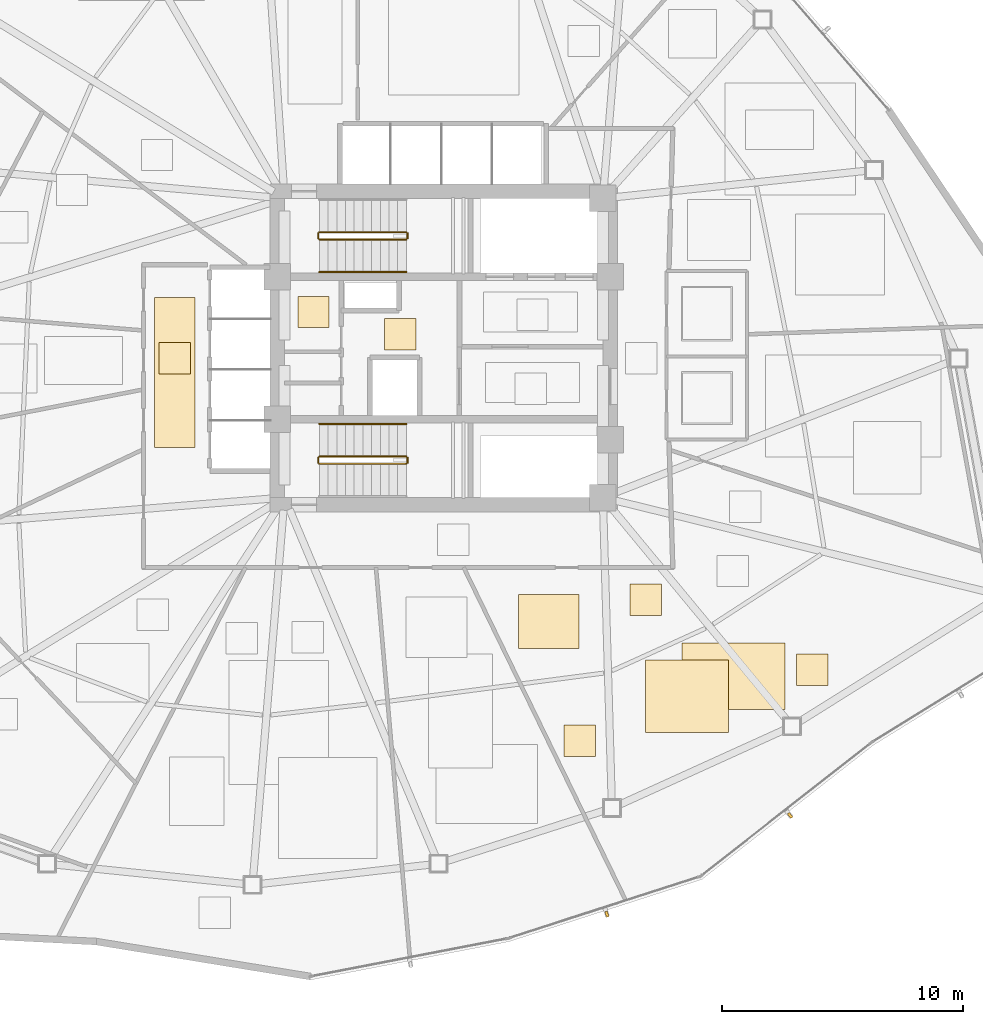
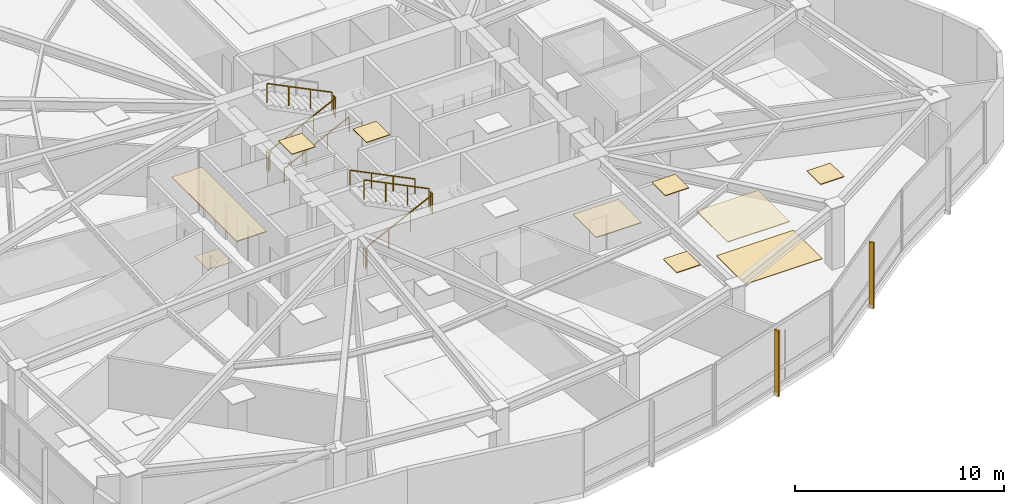
# One storey, part 15 of 17: 10 coverings, 10 railings, 2 shading devices.
"""IFC4 building model written with IfcOpenShell, lengths in metres."""

from ifc_helpers import new_model, si_unit, direction, frame, origin, origin_2d, place, context, subcontext, project, spatial, polyline, rectangle, outline, extrude, source, transform, mapped, material, layer, layer_set, type_object, type_shapes, element, save


model = new_model("IFC4")

# Units and contexts
model_context = context("Model", 3, precision=1e-05, world=origin(), true_north=direction((0.0, 1.0)))
body_context = subcontext(model_context, "Body", "Model", "MODEL_VIEW")
ifc_project = project(units=[si_unit("LENGTHUNIT", "METRE"), si_unit("AREAUNIT", "SQUARE_METRE"), si_unit("VOLUMEUNIT", "CUBIC_METRE"), si_unit("PLANEANGLEUNIT", "RADIAN"), si_unit("MASSUNIT", "GRAM", prefix="KILO")], contexts=[model_context])

# Site, building, storey
site_placement = place(None, origin())
site = spatial("IfcSite", under=ifc_project, at=site_placement, CompositionType="ELEMENT")
building_placement = place(site_placement, origin())
building = spatial("IfcBuilding", under=site, at=building_placement, Name="Tavelor Broadcast Tower", CompositionType="ELEMENT")
storey_placement = place(building_placement, frame((0.0, 0.0, 86.10009765625)))
storey = spatial("IfcBuildingStorey", under=building, at=storey_placement, Name="L20", CompositionType="ELEMENT", Elevation=86.10009765625)

# Railings
ifc_material_1 = material(Name="Steel S355", Category="steel")
railing_type_1 = type_object("IfcRailingType", Name="Continuous Brushed Stainless Handrail 900 mm", PredefinedType="HANDRAIL", material=ifc_material_1)
railing_1_placement = place(storey_placement, frame((44.85009765625, 48.14990234375, 0.17724609375)))
element("IfcRailing", 1, at=railing_1_placement, inside=storey, type_object=railing_type_1, Name="L20 ST1 stair handrail 1", PredefinedType="HANDRAIL", context=body_context, shape_type="SweptSolid", body=[
    extrude(rectangle(XDim=0.048095703125, YDim=0.048095703125, at=origin_2d()), frame((0.0, 0.0, 0.8759765625), z_axis=(0.897124305991, 0.0, 0.441778201817), x_axis=(0.0, 1.0, 0.0)), (0.0, 0.0, 1.0), 4.0126953125),
    extrude(rectangle(XDim=0.0419921875, YDim=0.0419921875, at=origin_2d()), origin(), (0.0, 0.0, 1.0), 0.851806640625),
    extrude(rectangle(XDim=0.0419921875, YDim=0.0419921875, at=origin_2d()), frame((1.199951171875, 0.0, 0.5908203125)), (0.0, 0.0, 1.0), 0.851806640625),
    extrude(rectangle(XDim=0.0419921875, YDim=0.0419921875, at=origin_2d()), frame((2.39990234375, 0.0, 1.181884765625)), (0.0, 0.0, 1.0), 0.851806640625),
    extrude(rectangle(XDim=0.0419921875, YDim=0.0419921875, at=origin_2d()), frame((3.599853515625, 0.0, 1.772705078125)), (0.0, 0.0, 1.0), 0.851806640625),
])
railing_2_placement = place(storey_placement, frame((48.449951171875, 41.85009765625, 2.127197265625)))
element("IfcRailing", 2, at=railing_2_placement, inside=storey, type_object=railing_type_1, Name="L20 ST2 stair handrail 2", PredefinedType="HANDRAIL", context=body_context, shape_type="SweptSolid", body=[
    extrude(rectangle(XDim=0.048095703125, YDim=0.048095703125, at=origin_2d()), frame((0.0, 0.0, 0.8759765625), z_axis=(-0.897124305991, 0.0, 0.441778201817), x_axis=(0.0, -1.0, 0.0)), (0.0, 0.0, 1.0), 4.0126953125),
    extrude(rectangle(XDim=0.0419921875, YDim=0.0419921875, at=origin_2d()), origin(), (0.0, 0.0, 1.0), 0.851806640625),
    extrude(rectangle(XDim=0.0419921875, YDim=0.0419921875, at=origin_2d()), frame((-1.199951171875, 0.0, 0.5908203125)), (0.0, 0.0, 1.0), 0.851806640625),
    extrude(rectangle(XDim=0.0419921875, YDim=0.0419921875, at=origin_2d()), frame((-2.39990234375, 0.0, 1.181884765625)), (0.0, 0.0, 1.0), 0.851806640625),
    extrude(rectangle(XDim=0.0419921875, YDim=0.0419921875, at=origin_2d()), frame((-3.599853515625, 0.0, 1.772705078125)), (0.0, 0.0, 1.0), 0.851806640625),
])

# Coverings
ifc_material_2 = material(Name="Architectural Anodized Aluminium", Category="aluminium")
ifc_layer_1 = layer(ifc_material_2, 0.034912109375)
ifc_layer_set_1 = layer_set([ifc_layer_1], Name="Architectural Anodized Aluminium")
covering_type_1 = type_object("IfcCoveringType", Name="Demountable Metal Tile Corridor Ceiling 35 mm", PredefinedType="CEILING", material=ifc_layer_set_1)
covering_1_placement = place(storey_placement, frame((0.0, 0.0, 3.56494140625)))
element("IfcCovering", 3, at=covering_1_placement, inside=storey, type_object=covering_type_1, Name="L20 Suspended Acoustic Ceiling 0833", PredefinedType="CEILING", context=body_context, shape_type="SweptSolid", body=[
    extrude(outline(polyline([(38.01611328125, 40.868896484375), (39.683837890625, 40.868896484375), (39.683837890625, 47.096923828125), (38.01611328125, 47.096923828125), (38.01611328125, 40.868896484375)])), origin(), (0.0, 0.0, 1.0), 0.034912109375),
])
ifc_material_3 = material(Name="Acoustic Nylon Carpet Tile")
ifc_layer_2 = layer(ifc_material_3, 0.02001953125)
ifc_layer_set_2 = layer_set([ifc_layer_2], Name="Acoustic Nylon Carpet Tile")
covering_type_2 = type_object("IfcCoveringType", Name="Heavy-Duty Acoustic Broadcast Carpet Tile 20 mm", PredefinedType="FLOORING", material=ifc_layer_set_2)
covering_2_placement = place(storey_placement, origin())
element("IfcCovering", 4, at=covering_2_placement, inside=storey, type_object=covering_type_2, Name="L20 Broadcast Floor Finish 0290", PredefinedType="FLOORING", context=body_context, shape_type="SweptSolid", body=[
    extrude(outline(polyline([(38.199951171875, 43.925048828125), (39.5, 43.925048828125), (39.5, 45.22509765625), (38.199951171875, 45.22509765625), (38.199951171875, 43.925048828125)])), origin(), (0.0, 0.0, 1.0), 0.02001953125),
])
covering_3_placement = place(storey_placement, origin())
element("IfcCovering", 5, at=covering_3_placement, inside=storey, type_object=covering_type_2, Name="L20 Broadcast Floor Finish 0293", PredefinedType="FLOORING", context=body_context, shape_type="SweptSolid", body=[
    extrude(outline(polyline([(59.8837890625, 30.01708984375), (64.155517578125, 30.01708984375), (64.155517578125, 32.76318359375), (59.8837890625, 32.76318359375), (59.8837890625, 30.01708984375)])), origin(), (0.0, 0.0, 1.0), 0.02001953125),
])
ifc_layer_3 = layer(ifc_material_2, 0.030029296875)
ifc_layer_set_3 = layer_set([ifc_layer_3], Name="Architectural Anodized Aluminium")
covering_type_3 = type_object("IfcCoveringType", Name="Moisture-Resistant Washroom Ceiling 30 mm", PredefinedType="CEILING", material=ifc_layer_set_3)
covering_4_placement = place(storey_placement, frame((0.0, 0.0, 3.56982421875)))
element("IfcCovering", 6, at=covering_4_placement, inside=storey, type_object=covering_type_3, Name="L20 Suspended Acoustic Ceiling 0830", PredefinedType="CEILING", context=body_context, shape_type="SweptSolid", body=[
    extrude(outline(polyline([(43.951416015625, 45.843017578125), (45.25146484375, 45.843017578125), (45.25146484375, 47.14306640625), (43.951416015625, 47.14306640625), (43.951416015625, 45.843017578125)])), origin(), (0.0, 0.0, 1.0), 0.030029296875),
])

# Railings
railing_type_2 = type_object("IfcRailingType", Name="Stairwell Steel Safety Guardrail 1150 mm", PredefinedType="GUARDRAIL", material=ifc_material_1)
railing_3_placement = place(storey_placement, frame((44.85009765625, 49.5, 0.17724609375)))
element("IfcRailing", 7, at=railing_3_placement, inside=storey, type_object=railing_type_2, Name="L20 ST1 stair guard 1", PredefinedType="GUARDRAIL", context=body_context, shape_type="SweptSolid", body=[
    extrude(rectangle(XDim=0.048095703125, YDim=0.048095703125, at=origin_2d()), frame((0.0, 0.0, 1.1259765625), z_axis=(0.897124305991, 0.0, 0.441778201817), x_axis=(0.0, 1.0, 0.0)), (0.0, 0.0, 1.0), 4.0126953125),
    extrude(rectangle(XDim=0.0419921875, YDim=0.0419921875, at=origin_2d()), origin(), (0.0, 0.0, 1.0), 1.101806640625),
    extrude(rectangle(XDim=0.0419921875, YDim=0.0419921875, at=origin_2d()), frame((1.199951171875, 0.0, 0.5908203125)), (0.0, 0.0, 1.0), 1.101806640625),
    extrude(rectangle(XDim=0.0419921875, YDim=0.0419921875, at=origin_2d()), frame((2.39990234375, 0.0, 1.181884765625)), (0.0, 0.0, 1.0), 1.101806640625),
    extrude(rectangle(XDim=0.0419921875, YDim=0.0419921875, at=origin_2d()), frame((3.599853515625, 0.0, 1.772705078125)), (0.0, 0.0, 1.0), 1.101806640625),
])
railing_4_placement = place(storey_placement, frame((48.5, 49.550048828125, 1.949951171875)))
element("IfcRailing", 8, at=railing_4_placement, inside=storey, type_object=railing_type_2, Name="L20 ST1 stair guard 2", PredefinedType="GUARDRAIL", context=body_context, shape_type="SweptSolid", body=[
    extrude(rectangle(XDim=0.048095703125, YDim=0.048095703125, at=origin_2d()), frame((0.0, 0.0, 1.1259765625), z_axis=(0.0, 1.0, 0.0), x_axis=(-1.0, 0.0, 0.0)), (0.0, 0.0, 1.0), 0.199951171875),
    extrude(rectangle(XDim=0.0419921875, YDim=0.0419921875, at=origin_2d()), origin(), (0.0, 0.0, 1.0), 1.101806640625),
    extrude(rectangle(XDim=0.0419921875, YDim=0.0419921875, at=origin_2d()), frame((0.0, 0.199951171875, 0.0)), (0.0, 0.0, 1.0), 1.101806640625),
])
railing_5_placement = place(storey_placement, frame((48.449951171875, 49.800048828125, 2.127197265625)))
element("IfcRailing", 9, at=railing_5_placement, inside=storey, type_object=railing_type_2, Name="L20 ST1 stair guard 3", PredefinedType="GUARDRAIL", context=body_context, shape_type="SweptSolid", body=[
    extrude(rectangle(XDim=0.048095703125, YDim=0.048095703125, at=origin_2d()), frame((0.0, 0.0, 1.1259765625), z_axis=(-0.897124305991, 0.0, 0.441778201817), x_axis=(0.0, -1.0, 0.0)), (0.0, 0.0, 1.0), 4.0126953125),
    extrude(rectangle(XDim=0.0419921875, YDim=0.0419921875, at=origin_2d()), origin(), (0.0, 0.0, 1.0), 1.101806640625),
    extrude(rectangle(XDim=0.0419921875, YDim=0.0419921875, at=origin_2d()), frame((-1.199951171875, 0.0, 0.5908203125)), (0.0, 0.0, 1.0), 1.101806640625),
    extrude(rectangle(XDim=0.0419921875, YDim=0.0419921875, at=origin_2d()), frame((-2.39990234375, 0.0, 1.181884765625)), (0.0, 0.0, 1.0), 1.101806640625),
    extrude(rectangle(XDim=0.0419921875, YDim=0.0419921875, at=origin_2d()), frame((-3.599853515625, 0.0, 1.772705078125)), (0.0, 0.0, 1.0), 1.101806640625),
])
railing_6_placement = place(storey_placement, frame((44.800048828125, 49.550048828125, 0.0)))
element("IfcRailing", 10, at=railing_6_placement, inside=storey, type_object=railing_type_2, Name="L20 ST1 stair guard 4", PredefinedType="GUARDRAIL", context=body_context, shape_type="SweptSolid", body=[
    extrude(rectangle(XDim=0.048095703125, YDim=0.048095703125, at=origin_2d()), frame((0.0, 0.0, 1.1259765625), z_axis=(0.0, 1.0, 0.0), x_axis=(-1.0, 0.0, 0.0)), (0.0, 0.0, 1.0), 0.199951171875),
    extrude(rectangle(XDim=0.0419921875, YDim=0.0419921875, at=origin_2d()), origin(), (0.0, 0.0, 1.0), 1.101806640625),
    extrude(rectangle(XDim=0.0419921875, YDim=0.0419921875, at=origin_2d()), frame((0.0, 0.199951171875, 0.0)), (0.0, 0.0, 1.0), 1.101806640625),
])
railing_7_placement = place(storey_placement, frame((44.85009765625, 40.199951171875, 0.17724609375)))
element("IfcRailing", 11, at=railing_7_placement, inside=storey, type_object=railing_type_2, Name="L20 ST2 stair guard 1", PredefinedType="GUARDRAIL", context=body_context, shape_type="SweptSolid", body=[
    extrude(rectangle(XDim=0.048095703125, YDim=0.048095703125, at=origin_2d()), frame((0.0, 0.0, 1.1259765625), z_axis=(0.897124305991, 0.0, 0.441778201817), x_axis=(0.0, 1.0, 0.0)), (0.0, 0.0, 1.0), 4.0126953125),
    extrude(rectangle(XDim=0.0419921875, YDim=0.0419921875, at=origin_2d()), origin(), (0.0, 0.0, 1.0), 1.101806640625),
    extrude(rectangle(XDim=0.0419921875, YDim=0.0419921875, at=origin_2d()), frame((1.199951171875, 0.0, 0.5908203125)), (0.0, 0.0, 1.0), 1.101806640625),
    extrude(rectangle(XDim=0.0419921875, YDim=0.0419921875, at=origin_2d()), frame((2.39990234375, 0.0, 1.181884765625)), (0.0, 0.0, 1.0), 1.101806640625),
    extrude(rectangle(XDim=0.0419921875, YDim=0.0419921875, at=origin_2d()), frame((3.599853515625, 0.0, 1.772705078125)), (0.0, 0.0, 1.0), 1.101806640625),
])
railing_8_placement = place(storey_placement, frame((48.5, 40.25, 1.949951171875)))
element("IfcRailing", 12, at=railing_8_placement, inside=storey, type_object=railing_type_2, Name="L20 ST2 stair guard 2", PredefinedType="GUARDRAIL", context=body_context, shape_type="SweptSolid", body=[
    extrude(rectangle(XDim=0.048095703125, YDim=0.048095703125, at=origin_2d()), frame((0.0, 0.0, 1.1259765625), z_axis=(0.0, 1.0, 0.0), x_axis=(-1.0, 0.0, 0.0)), (0.0, 0.0, 1.0), 0.199951171875),
    extrude(rectangle(XDim=0.0419921875, YDim=0.0419921875, at=origin_2d()), origin(), (0.0, 0.0, 1.0), 1.101806640625),
    extrude(rectangle(XDim=0.0419921875, YDim=0.0419921875, at=origin_2d()), frame((0.0, 0.199951171875, 0.0)), (0.0, 0.0, 1.0), 1.101806640625),
])
railing_9_placement = place(storey_placement, frame((48.449951171875, 40.5, 2.127197265625)))
element("IfcRailing", 13, at=railing_9_placement, inside=storey, type_object=railing_type_2, Name="L20 ST2 stair guard 3", PredefinedType="GUARDRAIL", context=body_context, shape_type="SweptSolid", body=[
    extrude(rectangle(XDim=0.048095703125, YDim=0.048095703125, at=origin_2d()), frame((0.0, 0.0, 1.1259765625), z_axis=(-0.897124305991, 0.0, 0.441778201817), x_axis=(0.0, -1.0, 0.0)), (0.0, 0.0, 1.0), 4.0126953125),
    extrude(rectangle(XDim=0.0419921875, YDim=0.0419921875, at=origin_2d()), origin(), (0.0, 0.0, 1.0), 1.101806640625),
    extrude(rectangle(XDim=0.0419921875, YDim=0.0419921875, at=origin_2d()), frame((-1.199951171875, 0.0, 0.5908203125)), (0.0, 0.0, 1.0), 1.101806640625),
    extrude(rectangle(XDim=0.0419921875, YDim=0.0419921875, at=origin_2d()), frame((-2.39990234375, 0.0, 1.181884765625)), (0.0, 0.0, 1.0), 1.101806640625),
    extrude(rectangle(XDim=0.0419921875, YDim=0.0419921875, at=origin_2d()), frame((-3.599853515625, 0.0, 1.772705078125)), (0.0, 0.0, 1.0), 1.101806640625),
])
railing_10_placement = place(storey_placement, frame((44.800048828125, 40.25, 0.0)))
element("IfcRailing", 14, at=railing_10_placement, inside=storey, type_object=railing_type_2, Name="L20 ST2 stair guard 4", PredefinedType="GUARDRAIL", context=body_context, shape_type="SweptSolid", body=[
    extrude(rectangle(XDim=0.048095703125, YDim=0.048095703125, at=origin_2d()), frame((0.0, 0.0, 1.1259765625), z_axis=(0.0, 1.0, 0.0), x_axis=(-1.0, 0.0, 0.0)), (0.0, 0.0, 1.0), 0.199951171875),
    extrude(rectangle(XDim=0.0419921875, YDim=0.0419921875, at=origin_2d()), origin(), (0.0, 0.0, 1.0), 1.101806640625),
    extrude(rectangle(XDim=0.0419921875, YDim=0.0419921875, at=origin_2d()), frame((0.0, 0.199951171875, 0.0)), (0.0, 0.0, 1.0), 1.101806640625),
])

# Coverings
ifc_material_4 = material(Name="Acoustic Mineral Fibre Tile")
ifc_layer_4 = layer(ifc_material_4, 0.0400390625)
ifc_layer_set_4 = layer_set([ifc_layer_4], Name="Acoustic Mineral Fibre Tile")
covering_type_4 = type_object("IfcCoveringType", Name="Suspended Acoustic Mineral-Fibre Office Ceiling 40 mm", PredefinedType="CEILING", material=ifc_layer_set_4)
covering_5_placement = place(storey_placement, frame((0.0, 0.0, 3.559814453125)))
element("IfcCovering", 15, at=covering_5_placement, inside=storey, type_object=covering_type_4, Name="L20 Suspended Acoustic Ceiling 0829", PredefinedType="CEILING", context=body_context, shape_type="SweptSolid", body=[
    extrude(outline(polyline([(47.544921875, 44.919921875), (48.844970703125, 44.919921875), (48.844970703125, 46.219970703125), (47.544921875, 46.219970703125), (47.544921875, 44.919921875)])), origin(), (0.0, 0.0, 1.0), 0.0400390625),
])
covering_6_placement = place(storey_placement, frame((0.0, 0.0, 3.559814453125)))
element("IfcCovering", 16, at=covering_6_placement, inside=storey, type_object=covering_type_4, Name="L20 Suspended Acoustic Ceiling 0838", PredefinedType="CEILING", context=body_context, shape_type="SweptSolid", body=[
    extrude(outline(polyline([(64.63623046875, 31.01171875), (65.936279296875, 31.01171875), (65.936279296875, 32.311767578125), (64.63623046875, 32.311767578125), (64.63623046875, 31.01171875)])), origin(), (0.0, 0.0, 1.0), 0.0400390625),
])
covering_7_placement = place(storey_placement, frame((0.0, 0.0, 3.559814453125)))
element("IfcCovering", 17, at=covering_7_placement, inside=storey, type_object=covering_type_4, Name="L20 Suspended Acoustic Ceiling 0839", PredefinedType="CEILING", context=body_context, shape_type="SweptSolid", body=[
    extrude(outline(polyline([(54.985595703125, 28.068359375), (56.28564453125, 28.068359375), (56.28564453125, 29.368408203125), (54.985595703125, 29.368408203125), (54.985595703125, 28.068359375)])), origin(), (0.0, 0.0, 1.0), 0.0400390625),
])
covering_8_placement = place(storey_placement, frame((0.0, 0.0, 3.559814453125)))
element("IfcCovering", 18, at=covering_8_placement, inside=storey, type_object=covering_type_4, Name="L20 Suspended Acoustic Ceiling 0840", PredefinedType="CEILING", context=body_context, shape_type="SweptSolid", body=[
    extrude(outline(polyline([(53.109619140625, 32.5400390625), (55.614013671875, 32.5400390625), (55.614013671875, 34.77490234375), (53.109619140625, 34.77490234375), (53.109619140625, 32.5400390625)])), origin(), (0.0, 0.0, 1.0), 0.0400390625),
])
covering_9_placement = place(storey_placement, frame((0.0, 0.0, 3.559814453125)))
element("IfcCovering", 19, at=covering_9_placement, inside=storey, type_object=covering_type_4, Name="L20 Suspended Acoustic Ceiling 0841", PredefinedType="CEILING", context=body_context, shape_type="SweptSolid", body=[
    extrude(outline(polyline([(57.73095703125, 33.91650390625), (59.031005859375, 33.91650390625), (59.031005859375, 35.216552734375), (57.73095703125, 35.216552734375), (57.73095703125, 33.91650390625)])), origin(), (0.0, 0.0, 1.0), 0.0400390625),
])
covering_10_placement = place(storey_placement, frame((0.0, 0.0, 3.559814453125)))
element("IfcCovering", 20, at=covering_10_placement, inside=storey, type_object=covering_type_4, Name="L20 Suspended Acoustic Ceiling 0842", PredefinedType="CEILING", context=body_context, shape_type="SweptSolid", body=[
    extrude(outline(polyline([(58.373779296875, 29.06640625), (61.811279296875, 29.06640625), (61.811279296875, 32.069091796875), (58.373779296875, 32.069091796875), (58.373779296875, 29.06640625)])), origin(), (0.0, 0.0, 1.0), 0.0400390625),
])

# Shading devices
ifc_material_5 = material(Name="Kiln-Fired Glazed Terracotta", Category="masonry")
shading_device_type = type_object("IfcShadingDeviceType", Name="Extruded Terracotta Baguette Sun-Screen 110x240", PredefinedType="JALOUSIE", material=ifc_material_5)
shared_shape = source(origin(), body_context, "Body", "SweptSolid", [
    extrude(rectangle(XDim=0.110107421875, YDim=0.239990234375, at=origin_2d()), origin(), (0.0, 0.0, 1.0), 3.840087890625),
])
type_shapes(shading_device_type, [shared_shape])
for number, where, z_axis, x_axis, name in (
    (21, (56.76513671875, 21.523193359375, -0.26025390625), (0.0, 0.0, 1.0), (0.951701633602, 0.307024429971, 0.0), "L20 Terracotta Baguette Fin 198"),
    (22, (64.360595703125, 25.6181640625, -0.26025390625), (0.0, 0.0, 1.0), (0.787257993304, 0.616623752364, 0.0), "L20 Terracotta Baguette Fin 199"),
):
    element("IfcShadingDevice", number, at=place(storey_placement, frame(where, z_axis=z_axis, x_axis=x_axis)), inside=storey, type_object=shading_device_type, Name=name, PredefinedType="JALOUSIE", context=body_context, shape_type="MappedRepresentation", body=[
        mapped(shared_shape, transform((0.0, 0.0, 0.0), scale=1.0)),
    ])

save(model, "model.ifc")
